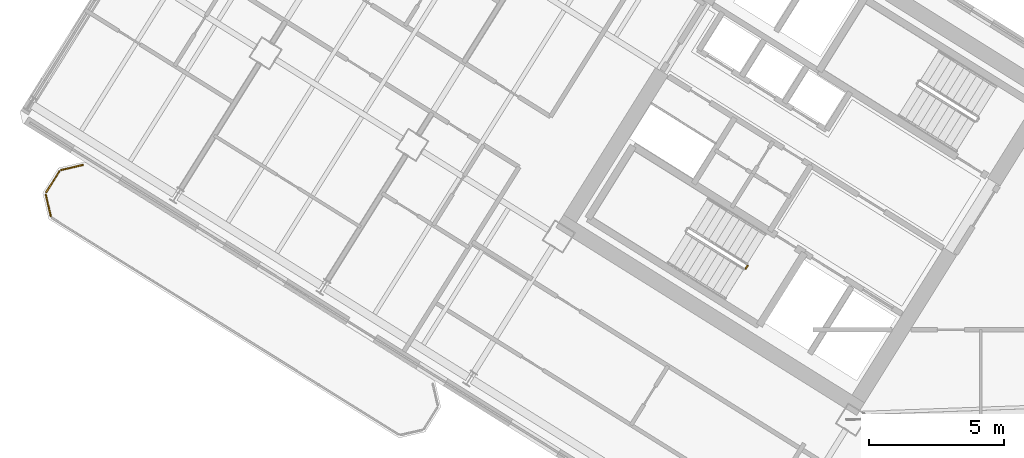
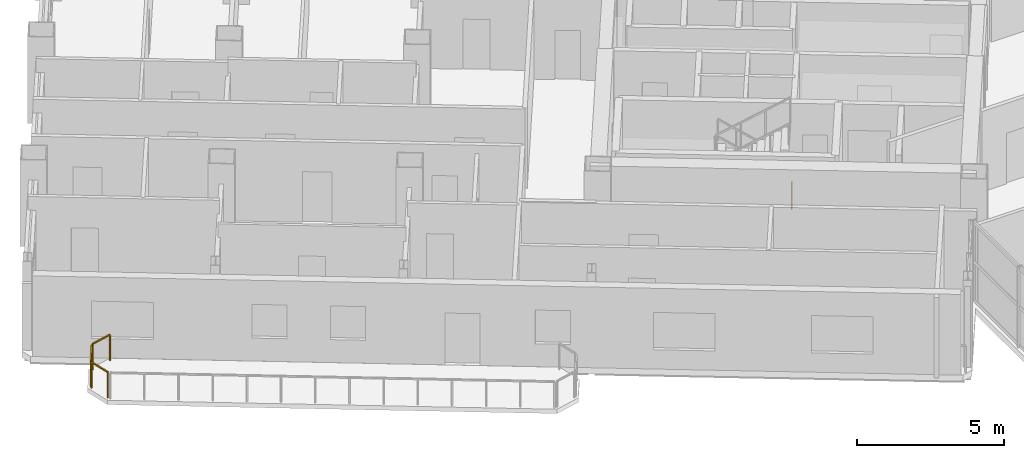
# One storey, part 23 of 29: 4 railings.
"""IFC4 building model written with IfcOpenShell, lengths in metres."""

from ifc_helpers import new_model, si_unit, direction, frame, origin, origin_2d, place, context, subcontext, project, spatial, rectangle, extrude, source, transform, mapped, material, type_object, element, save


model = new_model("IFC4")

# Units and contexts
model_context = context("Model", 3, precision=1e-05, world=origin(), true_north=direction((0.0, 1.0)))
body_context = subcontext(model_context, "Body", "Model", "MODEL_VIEW")
ifc_project = project(units=[si_unit("LENGTHUNIT", "METRE"), si_unit("AREAUNIT", "SQUARE_METRE"), si_unit("VOLUMEUNIT", "CUBIC_METRE"), si_unit("PLANEANGLEUNIT", "RADIAN"), si_unit("MASSUNIT", "GRAM", prefix="KILO")], contexts=[model_context])

# Site, building, storey
site_placement = place(None, origin())
site = spatial("IfcSite", under=ifc_project, at=site_placement, CompositionType="ELEMENT")
building_placement = place(site_placement, origin())
building = spatial("IfcBuilding", under=site, at=building_placement, Name="Tlacorven Tower", CompositionType="ELEMENT")
storey_placement = place(building_placement, frame((0.0, 0.0, 151.5)))
storey = spatial("IfcBuildingStorey", under=building, at=storey_placement, Name="L38", CompositionType="ELEMENT", Elevation=151.5)

# Railings
ifc_material = material(Name="Aluminium and painted steel balustrade", Category="steel")
railing_type_1 = type_object("IfcRailingType", Name="RL-BAL-1100", PredefinedType="BALUSTRADE", material=ifc_material)
shared_shape_1 = source(origin(), body_context, "Body", "SweptSolid", [
    extrude(rectangle(XDim=0.048095703125, YDim=0.048095703125, at=origin_2d()), frame((0.0, 0.0, 1.076171875), z_axis=(-0.225058334816, 0.974345290916, 0.0), x_axis=(-0.974345290916, -0.225058334816, 0.0)), (0.0, 0.0, 1.0), 0.80712890625),
    extrude(rectangle(XDim=0.0419921875, YDim=0.0419921875, at=origin_2d()), origin(), (0.0, 0.0, 1.0), 1.052001953125),
    extrude(rectangle(XDim=0.0419921875, YDim=0.0419921875, at=origin_2d()), frame((-0.181640625, 0.786376953125, 0.0)), (0.0, 0.0, 1.0), 1.052001953125),
])
railing_1_placement = place(storey_placement, frame((3.380859375, 19.62841796875, 0.0)))
element("IfcRailing", 1, at=railing_1_placement, inside=storey, type_object=railing_type_1, Name="BAL-L38-W-OUT Guard Railing 5", PredefinedType="BALUSTRADE", context=body_context, shape_type="MappedRepresentation", body=[
    mapped(shared_shape_1, transform((0.0, 0.0, 0.0), scale=1.0)),
])
shared_shape_2 = source(origin(), body_context, "Body", "SweptSolid", [
    extrude(rectangle(XDim=0.048095703125, YDim=0.048095703125, at=origin_2d()), frame((0.0, 0.0, 1.076171875), z_axis=(0.52987865805, 0.848073468364, 0.0), x_axis=(-0.848073468364, 0.52987865805, 0.0)), (0.0, 0.0, 1.0), 0.912353515625),
    extrude(rectangle(XDim=0.0419921875, YDim=0.0419921875, at=origin_2d()), origin(), (0.0, 0.0, 1.0), 1.052001953125),
    extrude(rectangle(XDim=0.0419921875, YDim=0.0419921875, at=origin_2d()), frame((0.4833984375, 0.773681640625, 0.0)), (0.0, 0.0, 1.0), 1.052001953125),
])
railing_2_placement = place(storey_placement, frame((3.214599609375, 20.505859375, 0.0)))
element("IfcRailing", 2, at=railing_2_placement, inside=storey, type_object=railing_type_1, Name="BAL-L38-W-OUT Guard Railing 6", PredefinedType="BALUSTRADE", context=body_context, shape_type="MappedRepresentation", body=[
    mapped(shared_shape_2, transform((0.0, 0.0, 0.0), scale=1.0)),
])
shared_shape_3 = source(origin(), body_context, "Body", "SweptSolid", [
    extrude(rectangle(XDim=0.048095703125, YDim=0.048095703125, at=origin_2d()), frame((0.0, 0.0, 1.076171875), z_axis=(0.974345290916, 0.225058334816, 0.0), x_axis=(-0.225058334816, 0.974345290916, 0.0)), (0.0, 0.0, 1.0), 0.80712890625),
    extrude(rectangle(XDim=0.0419921875, YDim=0.0419921875, at=origin_2d()), origin(), (0.0, 0.0, 1.0), 1.052001953125),
    extrude(rectangle(XDim=0.0419921875, YDim=0.0419921875, at=origin_2d()), frame((0.786376953125, 0.181640625, 0.0)), (0.0, 0.0, 1.0), 1.052001953125),
])
railing_3_placement = place(storey_placement, frame((3.773193359375, 21.3330078125, 0.0)))
element("IfcRailing", 3, at=railing_3_placement, inside=storey, type_object=railing_type_1, Name="BAL-L38-W-OUT Guard Railing 7", PredefinedType="BALUSTRADE", context=body_context, shape_type="MappedRepresentation", body=[
    mapped(shared_shape_3, transform((0.0, 0.0, 0.0), scale=1.0)),
])
railing_type_2 = type_object("IfcRailingType", Name="RL-GRD-1100", PredefinedType="GUARDRAIL", material=ifc_material)
shared_shape_4 = source(origin(), body_context, "Body", "SweptSolid", [
    extrude(rectangle(XDim=0.048095703125, YDim=0.048095703125, at=origin_2d()), frame((0.0, 0.0, 1.076171875), z_axis=(-0.529084052582, -0.848569422795, 0.0), x_axis=(0.848569422795, -0.529084052582, 0.0)), (0.0, 0.0, 1.0), 0.119873046875),
    extrude(rectangle(XDim=0.0419921875, YDim=0.0419921875, at=origin_2d()), origin(), (0.0, 0.0, 1.0), 1.052001953125),
    extrude(rectangle(XDim=0.0419921875, YDim=0.0419921875, at=origin_2d()), frame((-0.0634765625, -0.101806640625, 0.0)), (0.0, 0.0, 1.0), 1.052001953125),
])
railing_4_placement = place(storey_placement, frame((29.176513671875, 17.782958984375, 0.0)))
element("IfcRailing", 4, at=railing_4_placement, inside=storey, type_object=railing_type_2, Name="L38 ST-W1 stair guard 4", PredefinedType="GUARDRAIL", context=body_context, shape_type="MappedRepresentation", body=[
    mapped(shared_shape_4, transform((0.0, 0.0, 0.0), scale=1.0)),
])

save(model, "model.ifc")
